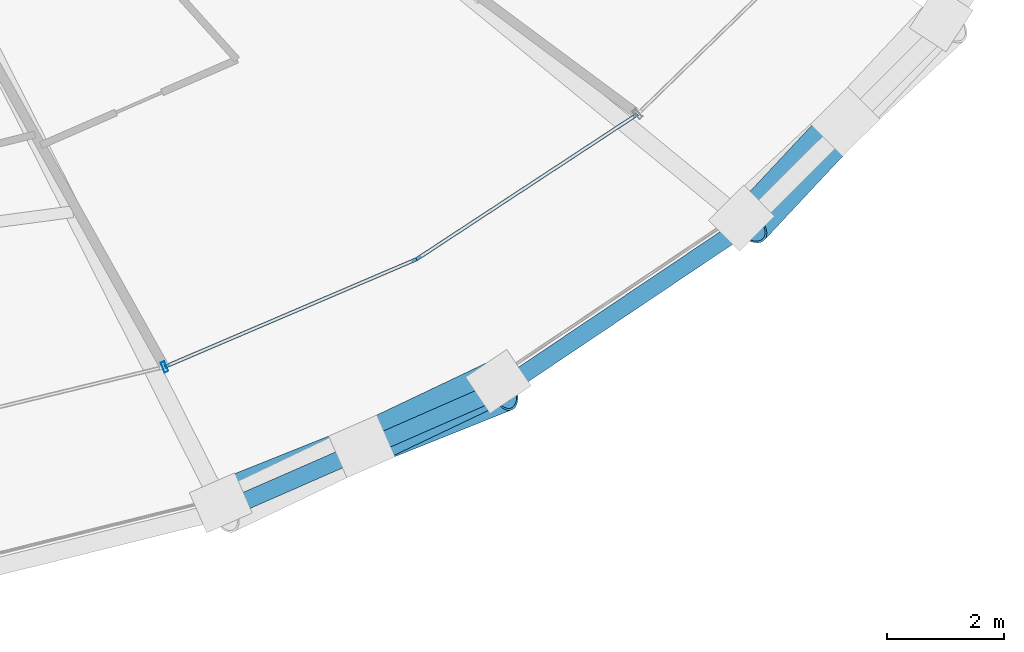
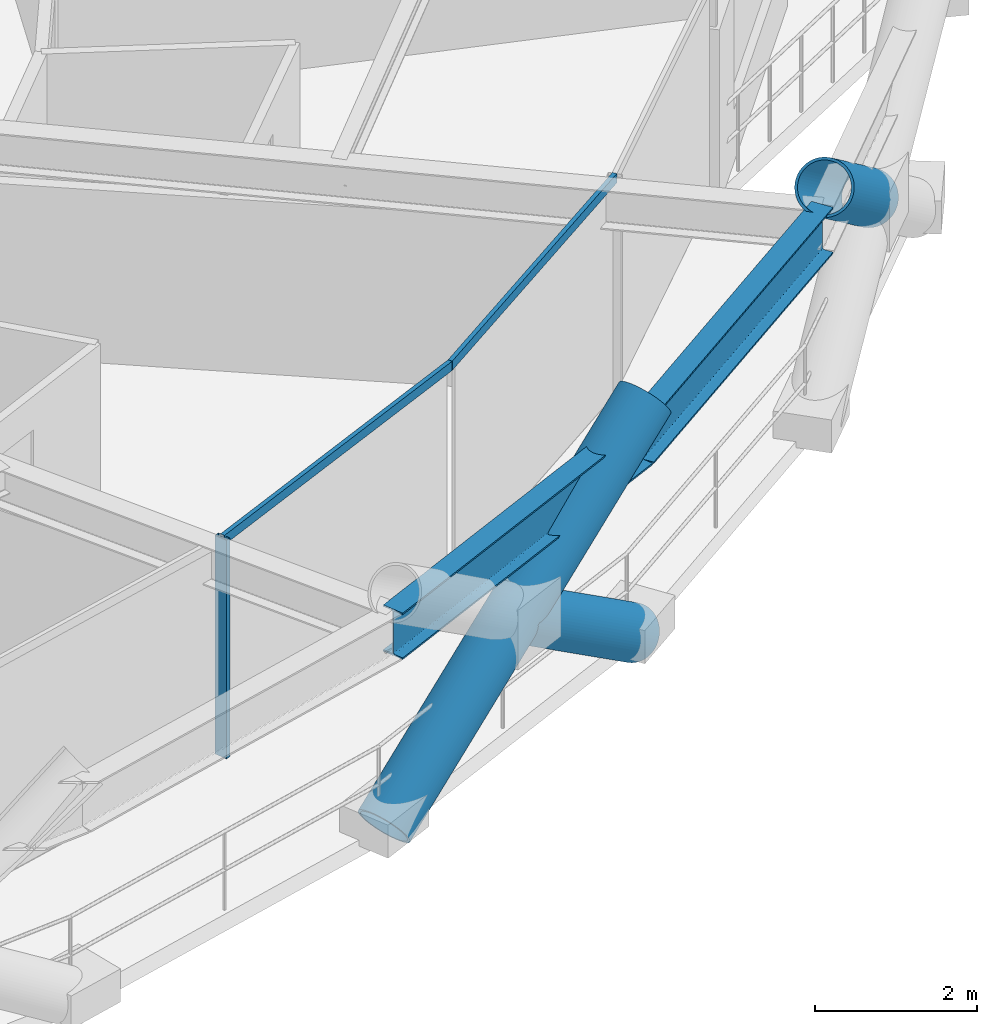
# One storey, part 6 of 17: 6 members, 2 beams, 1 element without a shape of its own.
"""IFC4 building model written with IfcOpenShell, lengths in metres."""

from ifc_helpers import new_model, si_unit, direction, frame, origin, origin_2d, place, context, subcontext, project, spatial, hollow_rectangle, hollow_circle, i_section, extrude, material, layer, layer_set, material_profile, profile_set, type_object, element, aggregate, save


model = new_model("IFC4")

# Units and contexts
model_context = context("Model", 3, precision=1e-05, world=origin(), true_north=direction((0.0, 1.0)))
body_context = subcontext(model_context, "Body", "Model", "MODEL_VIEW")
ifc_project = project(units=[si_unit("LENGTHUNIT", "METRE"), si_unit("AREAUNIT", "SQUARE_METRE"), si_unit("VOLUMEUNIT", "CUBIC_METRE"), si_unit("PLANEANGLEUNIT", "RADIAN"), si_unit("MASSUNIT", "GRAM", prefix="KILO")], contexts=[model_context])

# Site, building, storey
site_placement = place(None, origin())
site = spatial("IfcSite", under=ifc_project, at=site_placement, CompositionType="ELEMENT")
building_placement = place(site_placement, origin())
building = spatial("IfcBuilding", under=site, at=building_placement, Name="Veldorina Hangang Commons", CompositionType="ELEMENT")
storey_placement = place(building_placement, frame((0.0, 0.0, 30.39990234375)))
storey = spatial("IfcBuildingStorey", under=building, at=storey_placement, Name="L06", CompositionType="ELEMENT", Elevation=30.39990234375)

# Beams
ifc_material_1 = material(Name="Steel SM460-TMC", Category="steel")
ifc_material_profile_1 = material_profile(ifc_material_1, i_section(OverallWidth=0.300048828125, OverallDepth=0.699951171875, WebThickness=0.012939453125, FlangeThickness=0.02392578125, FilletRadius=0.02197265625, at=origin_2d()), Name="H-700x300x13x24")
ifc_profile_set_1 = profile_set([ifc_material_profile_1], Name="Steel SM460-TMC")
beam_type = type_object("IfcBeamType", Name="BM-RB700", PredefinedType="BEAM", material=ifc_profile_set_1)
beam_1_placement = place(storey_placement, frame((42.5771484375, 3.083984375, 2.989990234375), z_axis=(0.916057410829, 0.401047154416, 0.0), x_axis=(-0.401047154416, 0.916057410829, 0.0)))
element("IfcBeam", 1, at=beam_1_placement, inside=storey, type_object=beam_type, Name="L06 perimeter hoop ring beam 26", PredefinedType="BEAM", context=body_context, shape_type="SweptSolid", body=[
    extrude(i_section(OverallWidth=0.300048828125, OverallDepth=0.699951171875, WebThickness=0.012939453125, FlangeThickness=0.02392578125, FilletRadius=0.02197265625, at=origin_2d()), origin(), (0.0, 0.0, 1.0), 5.216552734375),
])
beam_2_placement = place(storey_placement, frame((47.355712890625, 5.176025390625, 2.989990234375), z_axis=(0.829930615335, 0.557866627188, 0.0), x_axis=(-0.557866627188, 0.829930615335, 0.0)))
element("IfcBeam", 2, at=beam_2_placement, inside=storey, type_object=beam_type, Name="L06 perimeter hoop ring beam 27", PredefinedType="BEAM", context=body_context, shape_type="SweptSolid", body=[
    extrude(i_section(OverallWidth=0.300048828125, OverallDepth=0.699951171875, WebThickness=0.012939453125, FlangeThickness=0.02392578125, FilletRadius=0.02197265625, at=origin_2d()), origin(), (0.0, 0.0, 1.0), 5.046875),
])

# Curtain wall, members
ifc_material_2 = material(Name="Glass Low-E Triple IGU", Category="glass")
ifc_layer = layer(ifc_material_2, 0.179931640625)
ifc_layer_set = layer_set([ifc_layer], Name="Glass Low-E Triple IGU")
curtain_wall_type = type_object("IfcCurtainWallType", Name="CW-SYS-Z1", PredefinedType="NOTDEFINED", material=ifc_layer_set)
curtain_wall_placement = place(storey_placement, origin())
curtain_wall = element("IfcCurtainWall", 3, at=curtain_wall_placement, inside=storey, type_object=curtain_wall_type, Name="L06 unitised curtain wall CW-L06-R2", PredefinedType="NOTDEFINED")
ifc_material_3 = material(Name="Aluminium Anodized AA6063-T6", Category="aluminium")
ifc_material_profile_2 = material_profile(ifc_material_3, hollow_rectangle(XDim=0.070068359375, YDim=0.179931640625, WallThickness=0.00390625, at=origin_2d()), Name="ALU-RHS-180x70x4")
ifc_profile_set_2 = profile_set([ifc_material_profile_2], Name="Aluminium Anodized AA6063-T6")
member_type_1 = type_object("IfcMemberType", Name="CW-MUL-180", PredefinedType="MULLION", material=ifc_profile_set_2)
member_1_placement = place(storey_placement, frame((41.559326171875, 5.541015625, 0.0), z_axis=(0.0, 0.0, 1.0), x_axis=(0.919499351884, 0.393091518459, 0.0)))
member_1 = element("IfcMember", 4, at=member_1_placement, type_object=member_type_1, Name="CW-L06-R2 vertical mullion 2", PredefinedType="MULLION", context=body_context, shape_type="SweptSolid", body=[
    extrude(hollow_rectangle(XDim=0.070068359375, YDim=0.179931640625, WallThickness=0.00390625, at=origin_2d()), origin(), (0.0, 0.0, 1.0), 3.300048828125),
])
ifc_material_profile_3 = material_profile(ifc_material_3, hollow_rectangle(XDim=0.06005859375, YDim=0.139892578125, WallThickness=0.00341796875, at=origin_2d()), Name="ALU-RHS-140x60x3.5")
ifc_profile_set_3 = profile_set([ifc_material_profile_3], Name="Aluminium Anodized AA6063-T6")
member_type_2 = type_object("IfcMemberType", Name="CW-TRN-140", PredefinedType="USERDEFINED", material=ifc_profile_set_3)
member_2_placement = place(storey_placement, frame((41.559326171875, 5.541015625, 3.260009765625), z_axis=(0.919510280132, 0.393065954684, 0.0), x_axis=(-0.393065954684, 0.919510280132, 0.0)))
member_2 = element("IfcMember", 5, at=member_2_placement, type_object=member_type_2, Name="CW-L06-R2 facet 3 transom 1", ObjectType="TRANSOM", PredefinedType="USERDEFINED", context=body_context, shape_type="SweptSolid", body=[
    extrude(hollow_rectangle(XDim=0.06005859375, YDim=0.139892578125, WallThickness=0.00341796875, at=origin_2d()), origin(), (0.0, 0.0, 1.0), 4.697021484375),
])
member_3_placement = place(storey_placement, frame((45.878173828125, 7.38720703125, 3.260009765625), z_axis=(0.83597757311, 0.548763607811, 0.0), x_axis=(-0.548763607811, 0.83597757311, 0.0)))
member_3 = element("IfcMember", 6, at=member_3_placement, type_object=member_type_2, Name="CW-L06-R2 facet 4 transom 1", ObjectType="TRANSOM", PredefinedType="USERDEFINED", context=body_context, shape_type="SweptSolid", body=[
    extrude(hollow_rectangle(XDim=0.06005859375, YDim=0.139892578125, WallThickness=0.00341796875, at=origin_2d()), origin(), (0.0, 0.0, 1.0), 4.528076171875),
])
aggregate(curtain_wall, [member_1, member_2, member_3])

# Members
ifc_material_profile_4 = material_profile(ifc_material_1, hollow_circle(Radius=0.375, WallThickness=0.035888671875, at=origin_2d()), Name="CHS-750x36")
ifc_profile_set_4 = profile_set([ifc_material_profile_4], Name="Steel SM460-TMC")
member_type_3 = type_object("IfcMemberType", Name="DG-CHS750", PredefinedType="BRACE", material=ifc_profile_set_4)
member_4_placement = place(storey_placement, frame((42.523681640625, 3.212646484375, 0.0), z_axis=(0.764371034171, 0.305833099989, 0.567629313083), x_axis=(-0.371479350532, 0.928441216302, 0.0)))
element("IfcMember", 7, at=member_4_placement, inside=storey, type_object=member_type_3, Name="L06 continuous perimeter diagrid brace 26", PredefinedType="BRACE", context=body_context, shape_type="SweptSolid", body=[
    extrude(hollow_circle(Radius=0.375, WallThickness=0.035888671875, at=origin_2d()), origin(), (0.0, 0.0, 1.0), 6.34228515625),
])
member_5_placement = place(storey_placement, frame((47.2783203125, 5.2919921875, 0.0), z_axis=(-0.742220117217, -0.353131872432, 0.569567536181), x_axis=(0.429629806613, -0.903005110323, 0.0)))
element("IfcMember", 8, at=member_5_placement, inside=storey, type_object=member_type_3, Name="L06 split perimeter diagrid lower brace 27", PredefinedType="BRACE", context=body_context, shape_type="SweptSolid", body=[
    extrude(hollow_circle(Radius=0.375, WallThickness=0.035888671875, at=origin_2d()), origin(), (0.0, 0.0, 1.0), 3.150634765625),
])
member_6_placement = place(storey_placement, frame((53.21923828125, 9.74267578125, 1.7939453125), z_axis=(-0.547476958933, -0.585919064325, 0.597467848088), x_axis=(0.730670003781, -0.682730800225, 0.0)))
element("IfcMember", 9, at=member_6_placement, inside=storey, type_object=member_type_3, Name="L06 split perimeter diagrid upper brace 29", PredefinedType="BRACE", context=body_context, shape_type="SweptSolid", body=[
    extrude(hollow_circle(Radius=0.375, WallThickness=0.035888671875, at=origin_2d()), origin(), (0.0, 0.0, 1.0), 3.02294921875),
])

save(model, "model.ifc")
